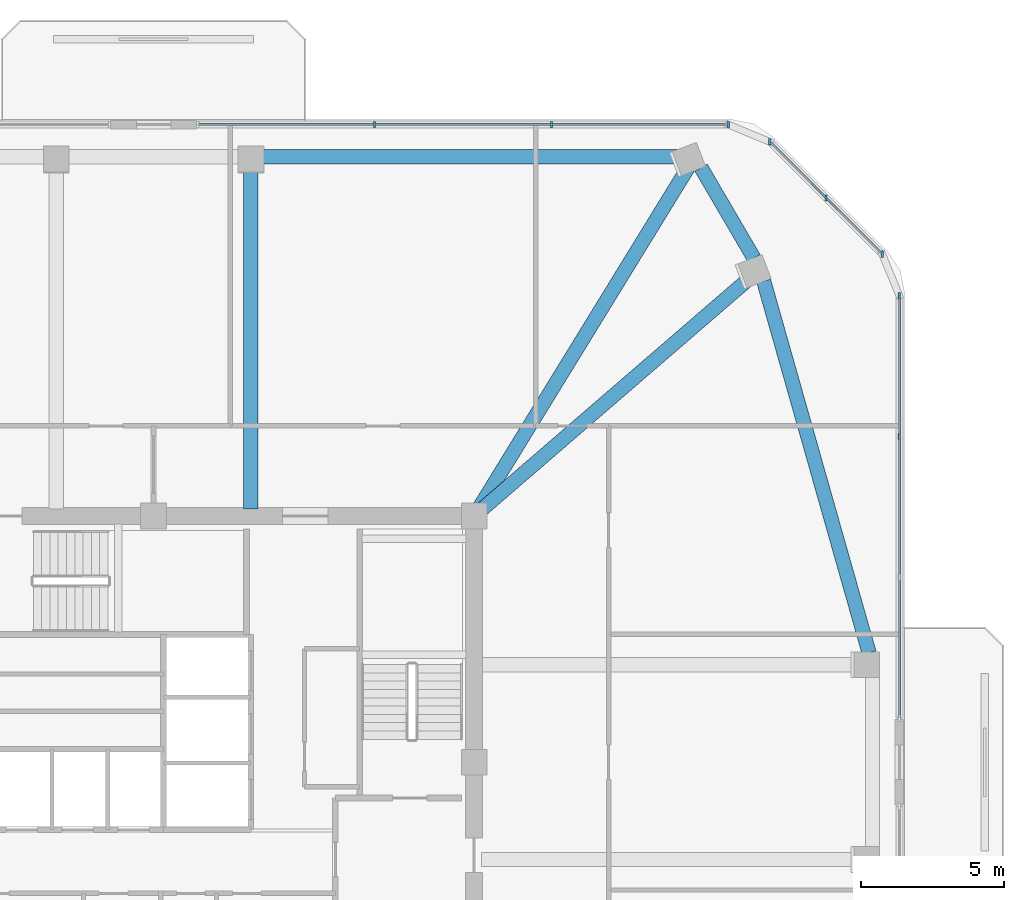
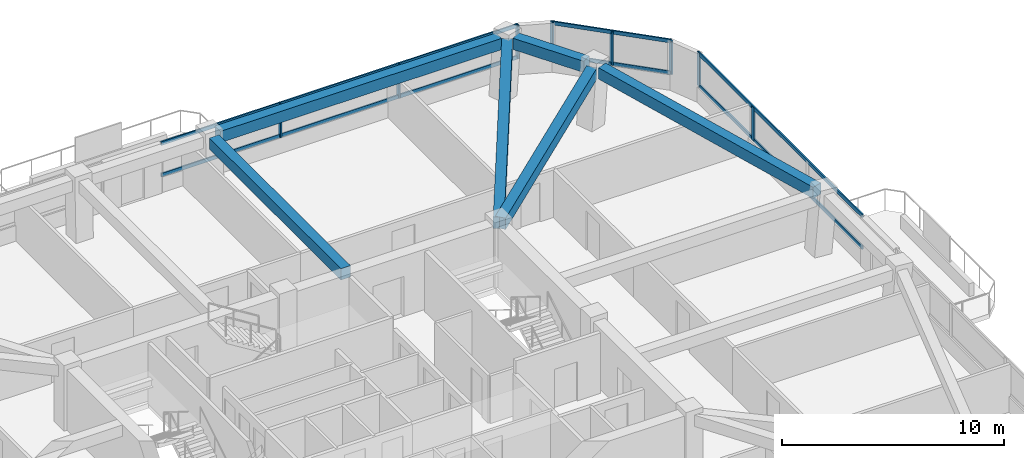
# One storey, part 7 of 14: 14 members, 6 beams, 3 elements without a shape of their own.
"""IFC4 building model written with IfcOpenShell, lengths in metres."""

from ifc_helpers import new_model, si_unit, derived_unit, direction, frame, origin, origin_2d, place, context, subcontext, project, spatial, rectangle, extrude, material, material_profile, profile_set, type_object, element, aggregate, save


model = new_model("IFC4")

# Units and contexts
model_context = context("Model", 3, precision=1e-05, world=origin(), true_north=direction((0.0, 1.0)))
body_context = subcontext(model_context, "Body", "Model", "MODEL_VIEW")
ifc_project = project(units=[si_unit("LENGTHUNIT", "METRE"), si_unit("AREAUNIT", "SQUARE_METRE"), si_unit("VOLUMEUNIT", "CUBIC_METRE"), si_unit("PLANEANGLEUNIT", "RADIAN"), si_unit("MASSUNIT", "GRAM", prefix="KILO"), derived_unit("THERMALTRANSMITTANCEUNIT", [(si_unit("POWERUNIT", "WATT"), 1), (si_unit("LENGTHUNIT", "METRE"), -2), (si_unit("THERMODYNAMICTEMPERATUREUNIT", "KELVIN"), -1)])], contexts=[model_context])

# Site, building, storey
site_placement = place(None, origin())
site = spatial("IfcSite", under=ifc_project, at=site_placement, CompositionType="ELEMENT")
building_placement = place(site_placement, origin())
building = spatial("IfcBuilding", under=site, at=building_placement, Name="Koralith Skygarden Medical Center", CompositionType="ELEMENT")
storey_placement = place(building_placement, frame((0.0, 0.0, 210.780029296875)))
storey = spatial("IfcBuildingStorey", under=building, at=storey_placement, Name="L54", CompositionType="ELEMENT", Elevation=210.780029296875)

# Curtain wall, members
ifc_material_1 = material(Name="Clear Laminated Glass", Category="glass")
curtain_wall_type = type_object("IfcCurtainWallType", Name="CW-5 Zone 4 Flare Biophilic Curtain Wall", PredefinedType="NOTDEFINED", material=ifc_material_1)
curtain_wall_1_placement = place(storey_placement, origin())
curtain_wall_1 = element("IfcCurtainWall", 1, at=curtain_wall_1_placement, inside=storey, type_object=curtain_wall_type, Name="Curtain Wall CW-L54-E-R", PredefinedType="NOTDEFINED")
ifc_material_2 = material(Name="Aluminium 6063-T6", Category="aluminium")
ifc_material_profile_1 = material_profile(ifc_material_2, rectangle(XDim=0.080078125, YDim=0.219970703125, at=origin_2d()), Name="MUL80X220")
ifc_profile_set_1 = profile_set([ifc_material_profile_1], Name="Aluminium 6063-T6")
member_type_1 = type_object("IfcMemberType", Name="CW-5 Extruded Mullion 80x220", PredefinedType="MULLION", material=ifc_profile_set_1)
member_1_placement = place(storey_placement, frame((63.054931640625, 37.278076171875, 0.849853515625), z_axis=(0.0, 0.0, 1.0), x_axis=(1.0, 0.0, 0.0)))
member_1 = element("IfcMember", 2, at=member_1_placement, type_object=member_type_1, Name="CW-L54-E-R Mullion 3", PredefinedType="MULLION", context=body_context, shape_type="SweptSolid", body=[
    extrude(rectangle(XDim=0.080078125, YDim=0.219970703125, at=origin_2d()), origin(), (0.0, 0.0, 1.0), 1.840087890625),
])
member_2_placement = place(storey_placement, frame((63.054931640625, 42.197998046875, 0.849853515625), z_axis=(0.0, 0.0, 1.0), x_axis=(1.0, 0.0, 0.0)))
member_2 = element("IfcMember", 3, at=member_2_placement, type_object=member_type_1, Name="CW-L54-E-R Mullion 4", PredefinedType="MULLION", context=body_context, shape_type="SweptSolid", body=[
    extrude(rectangle(XDim=0.080078125, YDim=0.219970703125, at=origin_2d()), origin(), (0.0, 0.0, 1.0), 1.840087890625),
])

curtain_wall_2_placement = place(storey_placement, origin())
curtain_wall_2 = element("IfcCurtainWall", 4, at=curtain_wall_2_placement, inside=storey, type_object=curtain_wall_type, Name="Curtain Wall CW-L54-NE", PredefinedType="NOTDEFINED")
member_3_placement = place(storey_placement, frame((62.4541015625, 43.64892578125, 0.849853515625), z_axis=(0.0, 0.0, 1.0), x_axis=(1.0, 0.0, 0.0)))
member_3 = element("IfcMember", 5, at=member_3_placement, type_object=member_type_1, Name="CW-L54-NE Mullion 1", PredefinedType="MULLION", context=body_context, shape_type="SweptSolid", body=[
    extrude(rectangle(XDim=0.080078125, YDim=0.219970703125, at=origin_2d()), origin(), (0.0, 0.0, 1.0), 1.840087890625),
])
member_4_placement = place(storey_placement, frame((60.491943359375, 45.611083984375, 0.849853515625), z_axis=(0.0, 0.0, 1.0), x_axis=(1.0, 0.0, 0.0)))
member_4 = element("IfcMember", 6, at=member_4_placement, type_object=member_type_1, Name="CW-L54-NE Mullion 2", PredefinedType="MULLION", context=body_context, shape_type="SweptSolid", body=[
    extrude(rectangle(XDim=0.080078125, YDim=0.219970703125, at=origin_2d()), origin(), (0.0, 0.0, 1.0), 1.840087890625),
])
member_5_placement = place(storey_placement, frame((58.531005859375, 47.572021484375, 0.849853515625), z_axis=(0.0, 0.0, 1.0), x_axis=(1.0, 0.0, 0.0)))
member_5 = element("IfcMember", 7, at=member_5_placement, type_object=member_type_1, Name="CW-L54-NE Mullion 3", PredefinedType="MULLION", context=body_context, shape_type="SweptSolid", body=[
    extrude(rectangle(XDim=0.080078125, YDim=0.219970703125, at=origin_2d()), origin(), (0.0, 0.0, 1.0), 1.840087890625),
])

curtain_wall_3_placement = place(storey_placement, origin())
curtain_wall_3 = element("IfcCurtainWall", 8, at=curtain_wall_3_placement, inside=storey, type_object=curtain_wall_type, Name="Curtain Wall CW-L54-N-L", PredefinedType="NOTDEFINED")
member_6_placement = place(storey_placement, frame((57.080078125, 48.173095703125, 0.849853515625), z_axis=(0.0, 0.0, 1.0), x_axis=(1.0, 0.0, 0.0)))
member_6 = element("IfcMember", 9, at=member_6_placement, type_object=member_type_1, Name="CW-L54-N-L Mullion 1", PredefinedType="MULLION", context=body_context, shape_type="SweptSolid", body=[
    extrude(rectangle(XDim=0.080078125, YDim=0.219970703125, at=origin_2d()), origin(), (0.0, 0.0, 1.0), 1.840087890625),
])
member_7_placement = place(storey_placement, frame((50.89990234375, 48.173095703125, 0.849853515625), z_axis=(0.0, 0.0, 1.0), x_axis=(1.0, 0.0, 0.0)))
member_7 = element("IfcMember", 10, at=member_7_placement, type_object=member_type_1, Name="CW-L54-N-L Mullion 2", PredefinedType="MULLION", context=body_context, shape_type="SweptSolid", body=[
    extrude(rectangle(XDim=0.080078125, YDim=0.219970703125, at=origin_2d()), origin(), (0.0, 0.0, 1.0), 1.840087890625),
])
member_8_placement = place(storey_placement, frame((44.720947265625, 48.173095703125, 0.849853515625), z_axis=(0.0, 0.0, 1.0), x_axis=(1.0, 0.0, 0.0)))
member_8 = element("IfcMember", 11, at=member_8_placement, type_object=member_type_1, Name="CW-L54-N-L Mullion 3", PredefinedType="MULLION", context=body_context, shape_type="SweptSolid", body=[
    extrude(rectangle(XDim=0.080078125, YDim=0.219970703125, at=origin_2d()), origin(), (0.0, 0.0, 1.0), 1.840087890625),
])

# Member
ifc_material_profile_2 = material_profile(ifc_material_2, rectangle(XDim=0.074951171875, YDim=0.197998046875, at=origin_2d()), Name="TRN75X198")
ifc_profile_set_2 = profile_set([ifc_material_profile_2], Name="Aluminium 6063-T6")
member_type_2 = type_object("IfcMemberType", Name="CW-5 Thermal Transom 75x198", PredefinedType="USERDEFINED", material=ifc_profile_set_2)
member_9_placement = place(storey_placement, frame((63.054931640625, 27.43896484375, 0.89990234375), z_axis=(0.0, 1.0, 0.0), x_axis=(-1.0, 0.0, 0.0)))
member_9 = element("IfcMember", 12, at=member_9_placement, type_object=member_type_2, Name="CW-L54-E-R Transom 1", ObjectType="TRANSOM", PredefinedType="USERDEFINED", context=body_context, shape_type="SweptSolid", body=[
    extrude(rectangle(XDim=0.074951171875, YDim=0.197998046875, at=origin_2d()), origin(), (0.0, 0.0, 1.0), 14.759033203125),
])

member_10_placement = place(storey_placement, frame((63.054931640625, 27.43896484375, 2.639892578125), z_axis=(0.0, 1.0, 0.0), x_axis=(-1.0, 0.0, 0.0)))
member_10 = element("IfcMember", 13, at=member_10_placement, type_object=member_type_2, Name="CW-L54-E-R Transom 2", ObjectType="TRANSOM", PredefinedType="USERDEFINED", context=body_context, shape_type="SweptSolid", body=[
    extrude(rectangle(XDim=0.074951171875, YDim=0.197998046875, at=origin_2d()), origin(), (0.0, 0.0, 1.0), 14.759033203125),
])

aggregate(curtain_wall_1, [member_1, member_2, member_9, member_10])

member_11_placement = place(storey_placement, frame((62.4541015625, 43.64892578125, 0.89990234375), z_axis=(-0.707106781187, 0.707106781187, 0.0), x_axis=(-0.707106781187, -0.707106781187, 0.0)))
member_11 = element("IfcMember", 14, at=member_11_placement, type_object=member_type_2, Name="CW-L54-NE Transom 1", ObjectType="TRANSOM", PredefinedType="USERDEFINED", context=body_context, shape_type="SweptSolid", body=[
    extrude(rectangle(XDim=0.074951171875, YDim=0.197998046875, at=origin_2d()), origin(), (0.0, 0.0, 1.0), 5.548095703125),
])

member_12_placement = place(storey_placement, frame((62.4541015625, 43.64892578125, 2.639892578125), z_axis=(-0.707106781187, 0.707106781187, 0.0), x_axis=(-0.707106781187, -0.707106781187, 0.0)))
member_12 = element("IfcMember", 15, at=member_12_placement, type_object=member_type_2, Name="CW-L54-NE Transom 2", ObjectType="TRANSOM", PredefinedType="USERDEFINED", context=body_context, shape_type="SweptSolid", body=[
    extrude(rectangle(XDim=0.074951171875, YDim=0.197998046875, at=origin_2d()), origin(), (0.0, 0.0, 1.0), 5.548095703125),
])

aggregate(curtain_wall_2, [member_3, member_4, member_5, member_11, member_12])

member_13_placement = place(storey_placement, frame((57.080078125, 48.173095703125, 0.89990234375), z_axis=(-1.0, 0.0, 0.0), x_axis=(0.0, -1.0, 0.0)))
member_13 = element("IfcMember", 16, at=member_13_placement, type_object=member_type_2, Name="CW-L54-N-L Transom 1", ObjectType="TRANSOM", PredefinedType="USERDEFINED", context=body_context, shape_type="SweptSolid", body=[
    extrude(rectangle(XDim=0.074951171875, YDim=0.197998046875, at=origin_2d()), origin(), (0.0, 0.0, 1.0), 18.5390625),
])

member_14_placement = place(storey_placement, frame((57.080078125, 48.173095703125, 2.639892578125), z_axis=(-1.0, 0.0, 0.0), x_axis=(0.0, -1.0, 0.0)))
member_14 = element("IfcMember", 17, at=member_14_placement, type_object=member_type_2, Name="CW-L54-N-L Transom 2", ObjectType="TRANSOM", PredefinedType="USERDEFINED", context=body_context, shape_type="SweptSolid", body=[
    extrude(rectangle(XDim=0.074951171875, YDim=0.197998046875, at=origin_2d()), origin(), (0.0, 0.0, 1.0), 18.5390625),
])

aggregate(curtain_wall_3, [member_6, member_7, member_8, member_13, member_14])

# Beams
ifc_material_3 = material(Name="Concrete C45/55", Category="concrete")
ifc_material_profile_3 = material_profile(ifc_material_3, rectangle(XDim=0.5, YDim=0.6201171875, at=origin_2d()), Name="RCB500X620")
ifc_profile_set_3 = profile_set([ifc_material_profile_3], Name="Concrete C45/55")
beam_type_1 = type_object("IfcBeamType", Name="Upper Radial Collector Beam RCB500X620", PredefinedType="BEAM", material=ifc_profile_set_3)
beam_1_placement = place(storey_placement, frame((48.388916015625, 34.6630859375, 3.010009765625), z_axis=(0.757022971029, 0.653388262318, 0.0), x_axis=(-0.653388262318, 0.757022971029, 0.0)))
element("IfcBeam", 18, at=beam_1_placement, inside=storey, type_object=beam_type_1, Name="L54 Radial Collector Beam RB-10", PredefinedType="BEAM", context=body_context, shape_type="SweptSolid", body=[
    extrude(rectangle(XDim=0.5, YDim=0.6201171875, at=origin_2d()), origin(), (0.0, 0.0, 1.0), 12.516357421875),
])
beam_2_placement = place(storey_placement, frame((48.3310546875, 34.712890625, 3.010009765625), z_axis=(0.523263476574, 0.852170953555, 0.0), x_axis=(-0.852170953555, 0.523263476574, 0.0)))
element("IfcBeam", 19, at=beam_2_placement, inside=storey, type_object=beam_type_1, Name="L54 Radial Collector Beam RB-11", PredefinedType="BEAM", context=body_context, shape_type="SweptSolid", body=[
    extrude(rectangle(XDim=0.5, YDim=0.6201171875, at=origin_2d()), origin(), (0.0, 0.0, 1.0), 14.034912109375),
])
beam_3_placement = place(storey_placement, frame((40.39990234375, 34.75, 3.010009765625), z_axis=(0.0, 1.0, 0.0), x_axis=(-1.0, 0.0, 0.0)))
element("IfcBeam", 20, at=beam_3_placement, inside=storey, type_object=beam_type_1, Name="L54 Radial Collector Beam RB-12", PredefinedType="BEAM", context=body_context, shape_type="SweptSolid", body=[
    extrude(rectangle(XDim=0.5, YDim=0.6201171875, at=origin_2d()), origin(), (0.0, 0.0, 1.0), 11.85791015625),
])
ifc_material_profile_4 = material_profile(ifc_material_3, rectangle(XDim=0.5, YDim=0.6201171875, at=origin_2d()), Name="RCB500X620")
ifc_profile_set_4 = profile_set([ifc_material_profile_4], Name="Concrete C45/55")
beam_type_2 = type_object("IfcBeamType", Name="Zone 4-5 Spandrel Beam RCB500X620", PredefinedType="SPANDREL", material=ifc_profile_set_4)
beam_4_placement = place(storey_placement, frame((61.9970703125, 29.722900390625, 3.010009765625), z_axis=(-0.272732369898, 0.962089940915, 0.0), x_axis=(-0.962089940915, -0.272732369898, 0.0)))
element("IfcBeam", 21, at=beam_4_placement, inside=storey, type_object=beam_type_2, Name="L54 Perimeter Spandrel Beam SP-09", PredefinedType="SPANDREL", context=body_context, shape_type="SweptSolid", body=[
    extrude(rectangle(XDim=0.5, YDim=0.6201171875, at=origin_2d()), origin(), (0.0, 0.0, 1.0), 13.49365234375),
])
beam_5_placement = place(storey_placement, frame((57.97509765625, 43.508056640625, 3.010009765625), z_axis=(-0.504861750403, 0.863200216045, 0.0), x_axis=(-0.863200216045, -0.504861750403, 0.0)))
element("IfcBeam", 22, at=beam_5_placement, inside=storey, type_object=beam_type_2, Name="L54 Perimeter Spandrel Beam SP-10", PredefinedType="SPANDREL", context=body_context, shape_type="SweptSolid", body=[
    extrude(rectangle(XDim=0.5, YDim=0.6201171875, at=origin_2d()), origin(), (0.0, 0.0, 1.0), 3.66064453125),
])
beam_6_placement = place(storey_placement, frame((55.465087890625, 47.048095703125, 3.010009765625), z_axis=(-1.0, 0.0, 0.0), x_axis=(0.0, -1.0, 0.0)))
element("IfcBeam", 23, at=beam_6_placement, inside=storey, type_object=beam_type_2, Name="L54 Perimeter Spandrel Beam SP-11", PredefinedType="SPANDREL", context=body_context, shape_type="SweptSolid", body=[
    extrude(rectangle(XDim=0.5, YDim=0.6201171875, at=origin_2d()), origin(), (0.0, 0.0, 1.0), 14.625),
])

save(model, "model.ifc")
